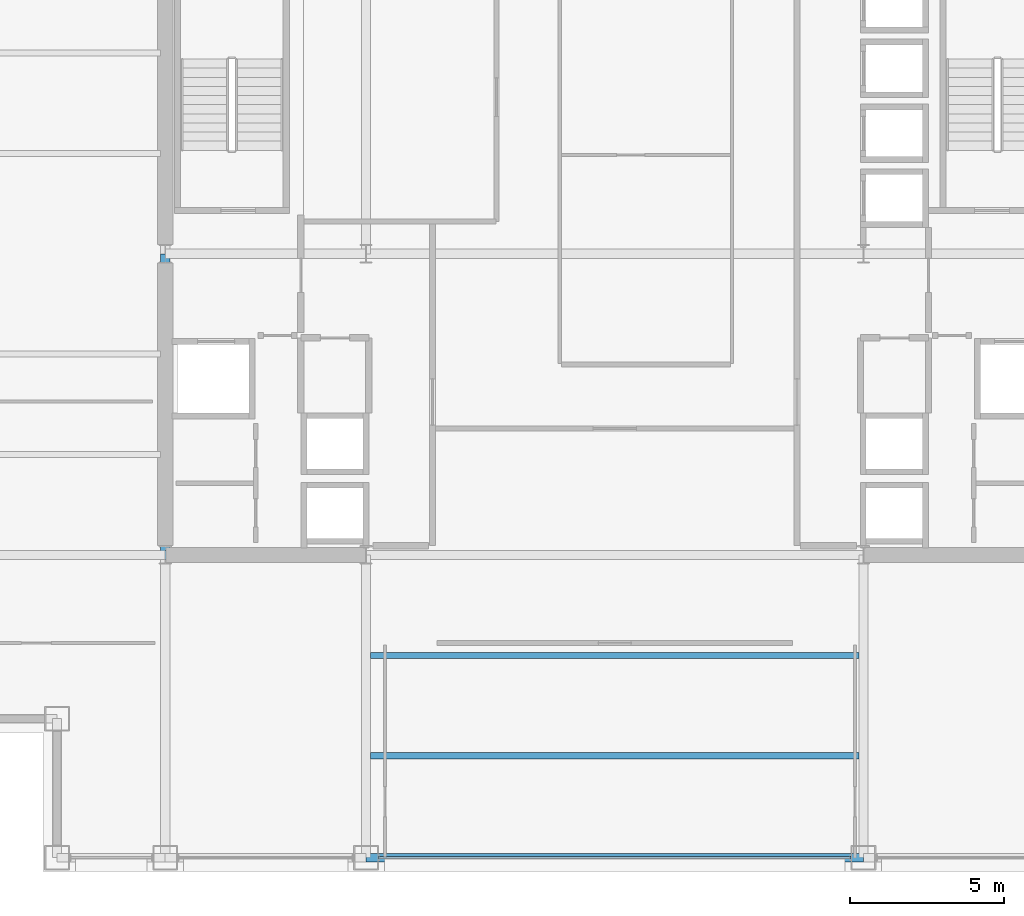
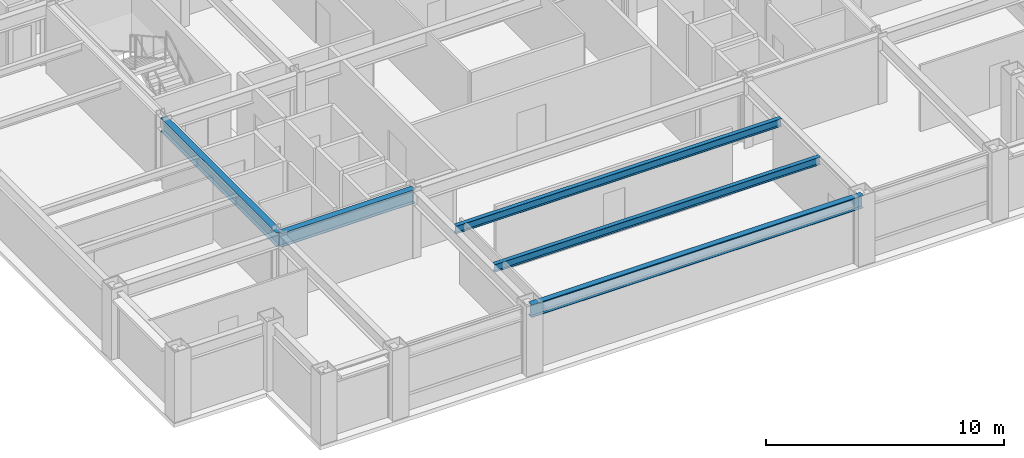
# One storey, part 5 of 29: 5 beams, 1 member, 1 element without a shape of its own.
"""IFC4 building model written with IfcOpenShell, lengths in metres."""

from ifc_helpers import new_model, si_unit, direction, frame, origin, origin_2d, place, context, subcontext, project, spatial, hollow_rectangle, i_section, extrude, material, layer, layer_set, material_profile, profile_set, type_object, element, aggregate, save


model = new_model("IFC4")

# Units and contexts
model_context = context("Model", 3, precision=1e-05, world=origin(), true_north=direction((0.0, 1.0)))
body_context = subcontext(model_context, "Body", "Model", "MODEL_VIEW")
ifc_project = project(units=[si_unit("LENGTHUNIT", "METRE"), si_unit("AREAUNIT", "SQUARE_METRE"), si_unit("VOLUMEUNIT", "CUBIC_METRE"), si_unit("PLANEANGLEUNIT", "RADIAN"), si_unit("MASSUNIT", "GRAM", prefix="KILO")], contexts=[model_context])

# Site, building, storey
site_placement = place(None, origin())
site = spatial("IfcSite", under=ifc_project, at=site_placement, CompositionType="ELEMENT")
building_placement = place(site_placement, origin())
building = spatial("IfcBuilding", under=site, at=building_placement, Name="Brelmoor Portico Tower", CompositionType="ELEMENT")
storey_placement = place(building_placement, frame((0.0, 0.0, 127.800048828125)))
storey = spatial("IfcBuildingStorey", under=building, at=storey_placement, Name="L33", CompositionType="ELEMENT", Elevation=127.800048828125)

# Beams
ifc_material_1 = material(Name="Steel Q355B", Category="steel")
ifc_material_profile_1 = material_profile(ifc_material_1, i_section(OverallWidth=0.199951171875, OverallDepth=0.39990234375, WebThickness=0.008056640625, FlangeThickness=0.012939453125, at=origin_2d()), Name="HN 400x200x8x13")
ifc_profile_set_1 = profile_set([ifc_material_profile_1], Name="Steel Q355B")
beam_type_1 = type_object("IfcBeamType", Name="BM-JS-400", PredefinedType="JOIST", material=ifc_profile_set_1)
for number, where, z_axis, x_axis, name in (
    (1, (-7.89990234375, -16.25, 3.199951171875), (1.0, 0.0, 0.0), (0.0, 1.0, 0.0), "L33 Secondary Composite Joist JS-C01"),
    (2, (-7.89990234375, -13.0, 3.199951171875), (1.0, 0.0, 0.0), (0.0, 1.0, 0.0), "L33 Secondary Composite Joist JS-C02"),
):
    element("IfcBeam", number, at=place(storey_placement, frame(where, z_axis=z_axis, x_axis=x_axis)), inside=storey, type_object=beam_type_1, Name=name, PredefinedType="JOIST", context=body_context, shape_type="SweptSolid", body=[
        extrude(i_section(OverallWidth=0.199951171875, OverallDepth=0.39990234375, WebThickness=0.008056640625, FlangeThickness=0.012939453125, at=origin_2d()), origin(), (0.0, 0.0, 1.0), 15.7998046875),
    ])
ifc_material_profile_2 = material_profile(ifc_material_1, i_section(OverallWidth=0.300048828125, OverallDepth=0.699951171875, WebThickness=0.012939453125, FlangeThickness=0.02392578125, at=origin_2d()), Name="HN 700x300x13x24")
ifc_profile_set_2 = profile_set([ifc_material_profile_2], Name="Steel Q355B")
beam_type_2 = type_object("IfcBeamType", Name="BM-PG-700", PredefinedType="BEAM", material=ifc_profile_set_2)
beam_1_placement = place(storey_placement, frame((-14.550048828125, -9.75, 3.050048828125), z_axis=(0.0, 1.0, 0.0), x_axis=(-1.0, 0.0, 0.0)))
element("IfcBeam", 3, at=beam_1_placement, inside=storey, type_object=beam_type_2, Name="L33 Primary Floor Girder PG-02", PredefinedType="BEAM", context=body_context, shape_type="SweptSolid", body=[
    extrude(i_section(OverallWidth=0.300048828125, OverallDepth=0.699951171875, WebThickness=0.012939453125, FlangeThickness=0.02392578125, at=origin_2d()), origin(), (0.0, 0.0, 1.0), 9.75),
])
beam_2_placement = place(storey_placement, frame((-14.550048828125, -9.75, 3.050048828125), z_axis=(1.0, 0.0, 0.0), x_axis=(0.0, 1.0, 0.0)))
element("IfcBeam", 4, at=beam_2_placement, inside=storey, type_object=beam_type_2, Name="L33 Primary Floor Girder PG-15", PredefinedType="BEAM", context=body_context, shape_type="SweptSolid", body=[
    extrude(i_section(OverallWidth=0.300048828125, OverallDepth=0.699951171875, WebThickness=0.012939453125, FlangeThickness=0.02392578125, at=origin_2d()), origin(), (0.0, 0.0, 1.0), 6.5),
])
ifc_material_profile_3 = material_profile(ifc_material_1, i_section(OverallWidth=0.280029296875, OverallDepth=0.64990234375, WebThickness=0.012939453125, FlangeThickness=0.02197265625, at=origin_2d()), Name="HN 650x280x13x22")
ifc_profile_set_3 = profile_set([ifc_material_profile_3], Name="Steel Q355B")
beam_type_3 = type_object("IfcBeamType", Name="BM-SP-650", PredefinedType="SPANDREL", material=ifc_profile_set_3)
beam_3_placement = place(storey_placement, frame((-8.050048828125, -19.550048828125, 3.074951171875), z_axis=(1.0, 0.0, 0.0), x_axis=(0.0, 1.0, 0.0)))
element("IfcBeam", 5, at=beam_3_placement, inside=storey, type_object=beam_type_3, Name="L33 Perimeter Spandrel Beam SP-03", PredefinedType="SPANDREL", context=body_context, shape_type="SweptSolid", body=[
    extrude(i_section(OverallWidth=0.280029296875, OverallDepth=0.64990234375, WebThickness=0.012939453125, FlangeThickness=0.02197265625, at=origin_2d()), origin(), (0.0, 0.0, 1.0), 16.10009765625),
])

# Curtain wall, member
ifc_material_2 = material(Name="Anodised Aluminium Alloy 6063-T6", Category="aluminium")
ifc_layer = layer(ifc_material_2, 0.179931640625)
ifc_layer_set = layer_set([ifc_layer], Name="Anodised Aluminium Alloy 6063-T6")
curtain_wall_type = type_object("IfcCurtainWallType", Name="CW-TOWER-Z2-XB", PredefinedType="NOTDEFINED", material=ifc_layer_set)
curtain_wall_placement = place(storey_placement, origin())
curtain_wall = element("IfcCurtainWall", 6, at=curtain_wall_placement, inside=storey, type_object=curtain_wall_type, Name="L33 Curtain Wall CW-L33-01-3", PredefinedType="NOTDEFINED")
ifc_material_profile_4 = material_profile(ifc_material_2, hollow_rectangle(XDim=0.06494140625, YDim=0.139892578125, WallThickness=0.00390625, at=origin_2d()), Name="ALU TRANSOM 65x140")
ifc_profile_set_4 = profile_set([ifc_material_profile_4], Name="Anodised Aluminium Alloy 6063-T6")
member_type = type_object("IfcMemberType", Name="MB-CW-TRAN-140", PredefinedType="USERDEFINED", material=ifc_profile_set_4)
member_placement = place(storey_placement, frame((-7.639892578125, -19.550048828125, 3.329833984375), z_axis=(1.0, 0.0, 0.0), x_axis=(0.0, 1.0, 0.0)))
member = element("IfcMember", 7, at=member_placement, type_object=member_type, Name="CW-L33-01-3 Transom 1-00", ObjectType="TRANSOM", PredefinedType="USERDEFINED", context=body_context, shape_type="SweptSolid", body=[
    extrude(hollow_rectangle(XDim=0.06494140625, YDim=0.139892578125, WallThickness=0.00390625, at=origin_2d()), origin(), (0.0, 0.0, 1.0), 15.27978515625),
])
aggregate(curtain_wall, [member])

save(model, "model.ifc")
